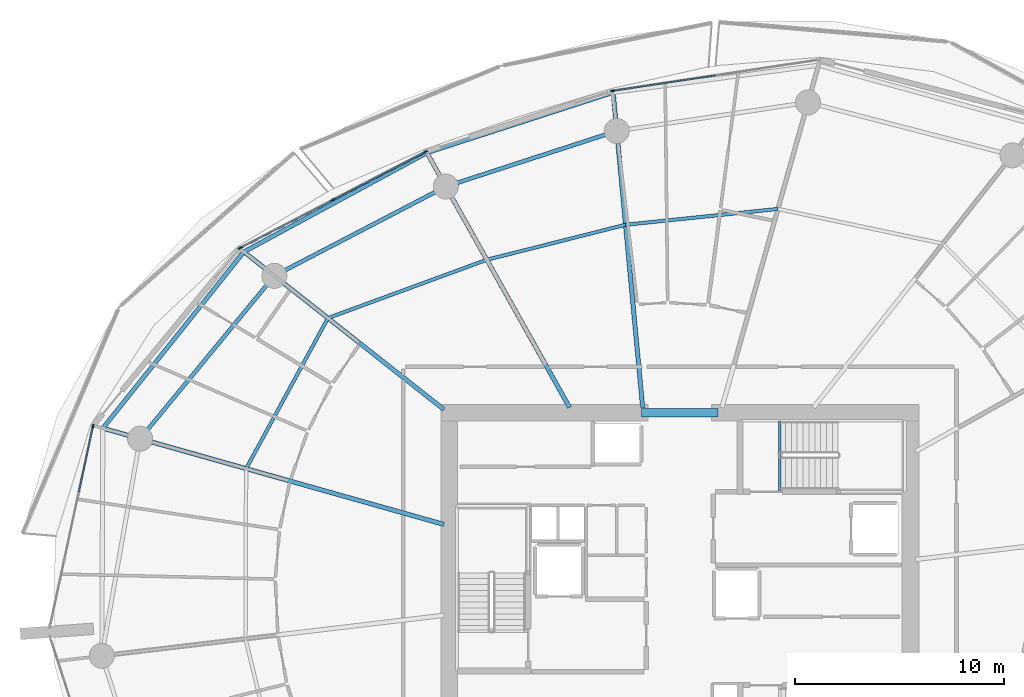
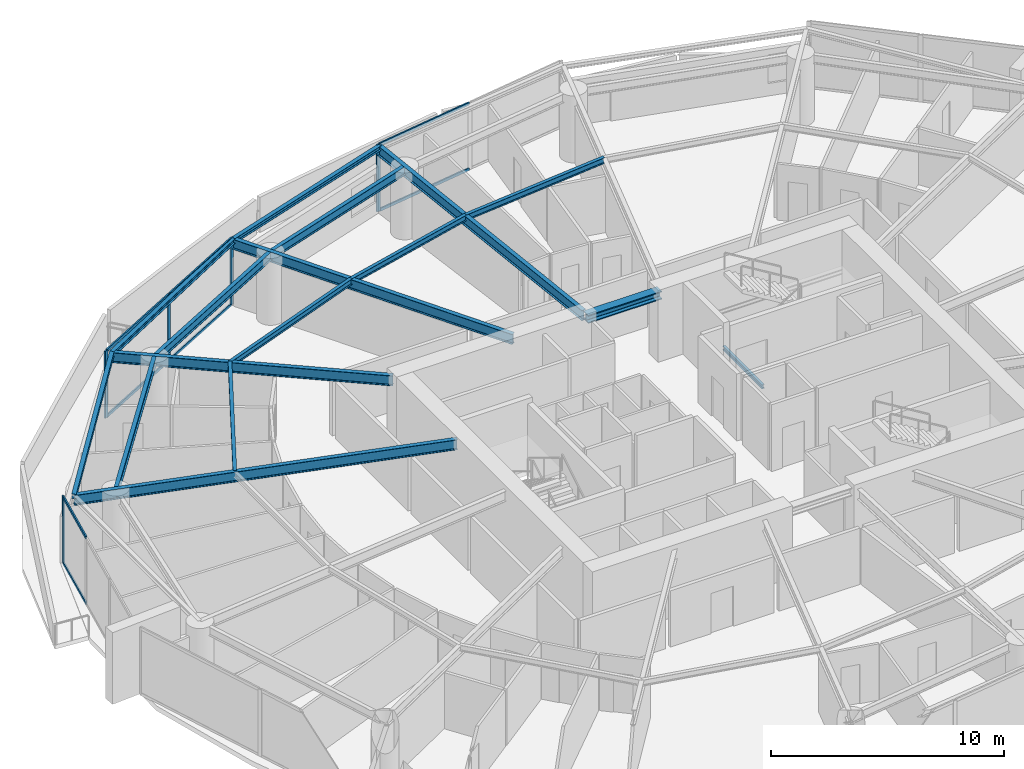
# One storey, part 8 of 23: 16 beams, 13 members, 3 elements without a shape of their own.
"""IFC4 building model written with IfcOpenShell, lengths in metres."""

import ifcopenshell
import ifcopenshell.guid

model = None  # the IFC model being written
_history = None  # IfcOwnerHistory: only IFC2X3 demands one
_inside = {}  # id of a spatial element -> (the spatial element, [elements in it])
_under = {}  # id of a project, library or spatial element -> (it, [spatial elements below it])
_declared = {}  # id of a project -> (the project, [libraries it declares])
_typed = {}  # id of a type object -> (the type object, [elements of that type])
_made_of = {}  # id of a material, layer set ... -> (it, [elements and type objects made of it])


def new_model(schema):
    """Start an empty IFC model of exactly this schema.

    Asked for "IFC4X3", IfcOpenShell would pick the latest addendum, in which some entities
    have other attributes; the version numbers below select the first issue.
    IFC2X3 requires an IfcOwnerHistory on every rooted entity: one is made here for all.
    """
    global model, _history
    if schema == "IFC4X3":
        model = ifcopenshell.file(schema_version=(4, 3, 0, 0))
    else:
        model = ifcopenshell.file(schema=schema)
    _inside.clear()
    _under.clear()
    _declared.clear()
    _typed.clear()
    _made_of.clear()
    _history = None
    if model.schema == "IFC2X3":
        org = make("IfcOrganization", Name="unknown")
        user = make(
            "IfcPersonAndOrganization",
            ThePerson=make("IfcPerson", FamilyName="unknown"),
            TheOrganization=org,
        )
        app = make(
            "IfcApplication",
            ApplicationDeveloper=org,
            Version="unknown",
            ApplicationFullName="unknown",
            ApplicationIdentifier="unknown",
        )
        _history = make(
            "IfcOwnerHistory",
            OwningUser=user,
            OwningApplication=app,
            ChangeAction="ADDED",
            CreationDate=0,
        )
    return model


def make(cls, **values):
    """One entity of the class cls with the attributes given. An attribute that is None is left unset."""
    return model.create_entity(
        cls, **{name: value for name, value in values.items() if value is not None}
    )


def rooted(cls, **values):
    """An entity with a GlobalId (a new one), such as an element, a storey or a relation."""
    return make(cls, GlobalId=ifcopenshell.guid.new(), OwnerHistory=_history, **values)


def si_unit(unit_type, name, prefix=None):
    """IfcSIUnit, for example si_unit("LENGTHUNIT", "METRE", prefix="MILLI")."""
    return make("IfcSIUnit", UnitType=unit_type, Prefix=prefix, Name=name)


def assignment(units):
    """IfcUnitAssignment: the units of a project."""
    return None if units is None else make("IfcUnitAssignment", Units=units)


def point(xyz):
    """IfcCartesianPoint."""
    return None if xyz is None else make("IfcCartesianPoint", Coordinates=xyz)


def direction(xyz):
    """IfcDirection."""
    return None if xyz is None else make("IfcDirection", DirectionRatios=xyz)


def frame(location, z_axis=None, x_axis=None):
    """IfcAxis2Placement3D, a coordinate frame: its origin and axes. An axis left out is left unset."""
    return make(
        "IfcAxis2Placement3D",
        Location=point(location),
        Axis=direction(z_axis),
        RefDirection=direction(x_axis),
    )


def frame_2d(location, x_axis=None):
    """IfcAxis2Placement2D, a coordinate frame in the plane: its origin and x axis."""
    return make(
        "IfcAxis2Placement2D", Location=point(location), RefDirection=direction(x_axis)
    )


def origin():
    """The frame at (0, 0, 0) with its axes left unset."""
    return frame((0.0, 0.0, 0.0))


def origin_2d():
    """The frame at (0, 0) in the plane with its x axis left unset."""
    return frame_2d((0.0, 0.0))


def place(relative_to, where):
    """IfcLocalPlacement: puts the frame where relative to a parent placement (None: the world)."""
    return make(
        "IfcLocalPlacement", PlacementRelTo=relative_to, RelativePlacement=where
    )


def context(
    kind, dimensions, precision=None, world=None, true_north=None, identifier=None
):
    """IfcGeometricRepresentationContext, for example the 3D "Model" context."""
    return make(
        "IfcGeometricRepresentationContext",
        ContextIdentifier=identifier,
        ContextType=kind,
        CoordinateSpaceDimension=dimensions,
        Precision=precision,
        WorldCoordinateSystem=world,
        TrueNorth=true_north,
    )


def subcontext(parent, identifier, kind, view, scale=None):
    """IfcGeometricRepresentationSubContext, for example "Body" below "Model"."""
    return make(
        "IfcGeometricRepresentationSubContext",
        ContextIdentifier=identifier,
        ContextType=kind,
        ParentContext=parent,
        TargetScale=scale,
        TargetView=view,
    )


def project(units=None, contexts=None):
    """IfcProject with its units and contexts."""
    return rooted(
        "IfcProject",
        Name="project",
        RepresentationContexts=contexts,
        UnitsInContext=assignment(units),
    )


def spatial(cls, under=None, at=None, **own):
    """A site, building, storey or space (cls), placed at a placement, below another one or the project."""
    s = rooted(cls, ObjectPlacement=at, **own)
    if under is not None:
        _under.setdefault(under.id(), (under, []))[1].append(s)
    return s


def profile(cls, at=None, kind="AREA", **sizes):
    """A parametric profile (cls). Its sizes go by their IFC names, for example OverallWidth=200.0."""
    return make(cls, ProfileType=kind, Position=at, **sizes)


def rectangle(**sizes):
    """IfcRectangleProfileDef."""
    return profile("IfcRectangleProfileDef", **sizes)


def i_section(**sizes):
    """IfcIShapeProfileDef."""
    return profile("IfcIShapeProfileDef", **sizes)


def extrude(swept, where, along, depth):
    """IfcExtrudedAreaSolid: the profile swept, set in the frame where, extruded along a direction by depth."""
    return make(
        "IfcExtrudedAreaSolid",
        SweptArea=swept,
        Position=where,
        ExtrudedDirection=direction(along),
        Depth=depth,
    )


def shape(context_of_items, identifier, shape_type, items):
    """IfcShapeRepresentation: the items that make up one representation, for example the "Body"."""
    return make(
        "IfcShapeRepresentation",
        ContextOfItems=context_of_items,
        RepresentationIdentifier=identifier,
        RepresentationType=shape_type,
        Items=items,
    )


def material(Name=None, Category=None):
    """IfcMaterial."""
    return make("IfcMaterial", Name=Name, Category=Category)


def layer(
    of_material, thickness, ventilated=None, Name=None, Category=None, Priority=None
):
    """IfcMaterialLayer: one layer of a wall or slab, of a material (None: an air gap)."""
    return make(
        "IfcMaterialLayer",
        Material=of_material,
        LayerThickness=thickness,
        IsVentilated=ventilated,
        Name=Name,
        Category=Category,
        Priority=Priority,
    )


def layer_set(layers, Name=None):
    """IfcMaterialLayerSet."""
    return make("IfcMaterialLayerSet", MaterialLayers=layers, LayerSetName=Name)


def material_profile(
    of_material, cross_section, Name=None, Category=None, Priority=None
):
    """IfcMaterialProfile: a cross section and its material."""
    return make(
        "IfcMaterialProfile",
        Name=Name,
        Material=of_material,
        Profile=cross_section,
        Priority=Priority,
        Category=Category,
    )


def profile_set(profiles, Name=None, composite=None):
    """IfcMaterialProfileSet."""
    return make(
        "IfcMaterialProfileSet",
        Name=Name,
        MaterialProfiles=profiles,
        CompositeProfile=composite,
    )


def made_of(thing, what):
    """Note that an element or type object is made of a material, layer set ...; save() writes the relation."""
    if what is not None:
        _made_of.setdefault(what.id(), (what, []))[1].append(thing)
    return thing


def type_object(cls, material=None, **own):
    """A type object (cls), such as IfcWallType, which elements share."""
    return made_of(rooted(cls, **own), material)


def element(
    cls,
    number,
    at=None,
    inside=None,
    cuts=None,
    type_object=None,
    material=None,
    context=None,
    identifier="Body",
    shape_type=None,
    held_by="IfcProductDefinitionShape",
    body=None,
    shapes=None,
    **own,
):
    """One element of the class cls, such as IfcWall. Its Tag is "e" and its number.

    at: its placement. inside: the storey or other place that contains it. cuts: it is an
    opening in that element (IfcRelVoidsElement). A single representation is given by context,
    identifier, shape_type and body (its items); several are given by shapes. held_by: the class
    of the entity that holds the representations. save() writes the other relations.
    """
    e = rooted(cls, Tag="e%d" % number, ObjectPlacement=at, **own)
    if body is not None:
        shapes = [shape(context, identifier, shape_type, body)]
    if shapes is not None:
        e.Representation = make(held_by, Representations=shapes)
    if inside is not None:
        _inside.setdefault(inside.id(), (inside, []))[1].append(e)
    if cuts is not None:
        rooted(
            "IfcRelVoidsElement", RelatingBuildingElement=cuts, RelatedOpeningElement=e
        )
    if type_object is not None:
        _typed.setdefault(type_object.id(), (type_object, []))[1].append(e)
    return made_of(e, material)


def aggregate(whole, parts):
    """IfcRelAggregates: a whole, such as a stair, and the parts it consists of."""
    return rooted("IfcRelAggregates", RelatingObject=whole, RelatedObjects=parts)


def save(model, path):
    """Write the relations noted so far, then the file.

    IfcRelAggregates (storeys below a building ...), IfcRelContainedInSpatialStructure (elements
    in a storey), IfcRelDefinesByType, IfcRelAssociatesMaterial and IfcRelDeclares: one each for
    every whole, place, type object, material and project.
    """
    for whole, parts in _under.values():
        aggregate(whole, parts)
    for where, things in _inside.values():
        rooted(
            "IfcRelContainedInSpatialStructure",
            RelatedElements=things,
            RelatingStructure=where,
        )
    for kind, things in _typed.values():
        rooted("IfcRelDefinesByType", RelatedObjects=things, RelatingType=kind)
    for what, things in _made_of.values():
        rooted("IfcRelAssociatesMaterial", RelatedObjects=things, RelatingMaterial=what)
    for by, libraries in _declared.values():
        rooted("IfcRelDeclares", RelatingContext=by, RelatedDefinitions=libraries)
    model.write(path)


model = new_model("IFC4")

# Units and contexts
model_context = context("Model", 3, precision=1e-05, world=origin(), true_north=direction((0.0, 1.0)))
body_context = subcontext(model_context, "Body", "Model", "MODEL_VIEW")
ifc_project = project(units=[si_unit("LENGTHUNIT", "METRE"), si_unit("AREAUNIT", "SQUARE_METRE"), si_unit("VOLUMEUNIT", "CUBIC_METRE"), si_unit("PLANEANGLEUNIT", "RADIAN"), si_unit("MASSUNIT", "GRAM", prefix="KILO")], contexts=[model_context])

# Site, building, storey
site_placement = place(None, origin())
site = spatial("IfcSite", under=ifc_project, at=site_placement, CompositionType="ELEMENT")
building_placement = place(site_placement, origin())
building = spatial("IfcBuilding", under=site, at=building_placement, Name="Kazma Halo Residences", CompositionType="ELEMENT")
storey_placement = place(building_placement, frame((0.0, 0.0, 86.39990234375)))
storey = spatial("IfcBuildingStorey", under=building, at=storey_placement, Name="L21", CompositionType="ELEMENT", Elevation=86.39990234375)

# Beams
ifc_material_1 = material(Name="Steel S355", Category="steel")
ifc_material_profile_1 = material_profile(ifc_material_1, i_section(OverallWidth=0.201904296875, OverallDepth=0.2470703125, WebThickness=0.00732421875, FlangeThickness=0.010986328125, FilletRadius=0.011962890625, at=origin_2d()), Name="W250x49.1")
ifc_profile_set_1 = profile_set([ifc_material_profile_1], Name="Steel S355")
beam_type_1 = type_object("IfcBeamType", Name="BM-BAL-CANT", PredefinedType="BEAM", material=ifc_profile_set_1)
beam_1_placement = place(storey_placement, frame((45.239013671875, 65.7109375, 3.376708984375), z_axis=(-0.951364037255, -0.308068934846, 0.0), x_axis=(0.308068934846, -0.951364037255, 0.0)))
element("IfcBeam", 1, at=beam_1_placement, inside=storey, type_object=beam_type_1, Name="L21 wave-balcony tie beam 04", PredefinedType="BEAM", context=body_context, shape_type="SweptSolid", body=[
    extrude(i_section(OverallWidth=0.201904296875, OverallDepth=0.2470703125, WebThickness=0.00732421875, FlangeThickness=0.010986328125, FilletRadius=0.011962890625, at=origin_2d()), origin(), (0.0, 0.0, 1.0), 9.3583984375),
])
beam_2_placement = place(storey_placement, frame((36.335693359375, 62.827880859375, 3.376708984375), z_axis=(-0.87930438671, -0.476260218276, 0.0), x_axis=(0.476260218276, -0.87930438671, 0.0)))
element("IfcBeam", 2, at=beam_2_placement, inside=storey, type_object=beam_type_1, Name="L21 wave-balcony tie beam 05", PredefinedType="BEAM", context=body_context, shape_type="SweptSolid", body=[
    extrude(i_section(OverallWidth=0.201904296875, OverallDepth=0.2470703125, WebThickness=0.00732421875, FlangeThickness=0.010986328125, FilletRadius=0.011962890625, at=origin_2d()), origin(), (0.0, 0.0, 1.0), 9.94677734375),
])
beam_3_placement = place(storey_placement, frame((27.58935546875, 58.090576171875, 3.376708984375), z_axis=(-0.62477775999, -0.78080263231, 0.0), x_axis=(0.78080263231, -0.62477775999, 0.0)))
element("IfcBeam", 3, at=beam_3_placement, inside=storey, type_object=beam_type_1, Name="L21 wave-balcony tie beam 06", PredefinedType="BEAM", context=body_context, shape_type="SweptSolid", body=[
    extrude(i_section(OverallWidth=0.201904296875, OverallDepth=0.2470703125, WebThickness=0.00732421875, FlangeThickness=0.010986328125, FilletRadius=0.011962890625, at=origin_2d()), origin(), (0.0, 0.0, 1.0), 10.79833984375),
])
ifc_material_profile_2 = material_profile(ifc_material_1, i_section(OverallWidth=0.408935546875, OverallDepth=0.425048828125, WebThickness=0.03271484375, FlangeThickness=0.052490234375, FilletRadius=0.02001953125, at=origin_2d()), Name="W360x421")
ifc_profile_set_2 = profile_set([ifc_material_profile_2], Name="Steel S355")
beam_type_2 = type_object("IfcBeamType", Name="BM-CORE-W360H", PredefinedType="BEAM", material=ifc_profile_set_2)
beam_4_placement = place(storey_placement, frame((46.60009765625, 50.39990234375, 3.28759765625), z_axis=(1.0, 0.0, 0.0), x_axis=(0.0, 1.0, 0.0)))
element("IfcBeam", 4, at=beam_4_placement, inside=storey, type_object=beam_type_2, Name="L21 core coupling beam N", PredefinedType="BEAM", context=body_context, shape_type="SweptSolid", body=[
    extrude(i_section(OverallWidth=0.408935546875, OverallDepth=0.425048828125, WebThickness=0.03271484375, FlangeThickness=0.052490234375, FilletRadius=0.02001953125, at=origin_2d()), origin(), (0.0, 0.0, 1.0), 3.64990234375),
])
ifc_material_profile_3 = material_profile(ifc_material_1, i_section(OverallWidth=0.208984375, OverallDepth=0.532958984375, WebThickness=0.01025390625, FlangeThickness=0.015625, FilletRadius=0.01611328125, at=origin_2d()), Name="W530x92")
ifc_profile_set_3 = profile_set([ifc_material_profile_3], Name="Steel S355")
beam_type_3 = type_object("IfcBeamType", Name="BM-RAD-W530", PredefinedType="BEAM", material=ifc_profile_set_3)
beam_5_placement = place(storey_placement, frame((46.64990234375, 50.64990234375, 3.233642578125), z_axis=(-0.093269713752, 0.995640879282, 0.0), x_axis=(-0.995640879282, -0.093269713752, 0.0)))
element("IfcBeam", 5, at=beam_5_placement, inside=storey, type_object=beam_type_3, Name="L21 radial floor beam 04", PredefinedType="BEAM", context=body_context, shape_type="SweptSolid", body=[
    extrude(i_section(OverallWidth=0.208984375, OverallDepth=0.532958984375, WebThickness=0.01025390625, FlangeThickness=0.015625, FilletRadius=0.01611328125, at=origin_2d()), origin(), (0.0, 0.0, 1.0), 15.126953125),
])
beam_6_placement = place(storey_placement, frame((43.15576171875, 50.64990234375, 3.233642578125), z_axis=(-0.488625206529, 0.872493786536, 0.0), x_axis=(-0.872493786536, -0.488625206529, 0.0)))
element("IfcBeam", 6, at=beam_6_placement, inside=storey, type_object=beam_type_3, Name="L21 radial floor beam 05", PredefinedType="BEAM", context=body_context, shape_type="SweptSolid", body=[
    extrude(i_section(OverallWidth=0.208984375, OverallDepth=0.532958984375, WebThickness=0.01025390625, FlangeThickness=0.015625, FilletRadius=0.01611328125, at=origin_2d()), origin(), (0.0, 0.0, 1.0), 13.957763671875),
])
beam_7_placement = place(storey_placement, frame((37.14990234375, 50.553466796875, 3.233642578125), z_axis=(-0.785309664997, 0.619103165929, 0.0), x_axis=(-0.619103165929, -0.785309664997, 0.0)))
element("IfcBeam", 7, at=beam_7_placement, inside=storey, type_object=beam_type_3, Name="L21 radial floor beam 06", PredefinedType="BEAM", context=body_context, shape_type="SweptSolid", body=[
    extrude(i_section(OverallWidth=0.208984375, OverallDepth=0.532958984375, WebThickness=0.01025390625, FlangeThickness=0.015625, FilletRadius=0.01611328125, at=origin_2d()), origin(), (0.0, 0.0, 1.0), 12.17431640625),
])
beam_8_placement = place(storey_placement, frame((37.14990234375, 45.06005859375, 3.233642578125), z_axis=(-0.962454695383, 0.271442368351, 0.0), x_axis=(-0.271442368351, -0.962454695383, 0.0)))
element("IfcBeam", 8, at=beam_8_placement, inside=storey, type_object=beam_type_3, Name="L21 radial floor beam 07", PredefinedType="BEAM", context=body_context, shape_type="SweptSolid", body=[
    extrude(i_section(OverallWidth=0.208984375, OverallDepth=0.532958984375, WebThickness=0.01025390625, FlangeThickness=0.015625, FilletRadius=0.01611328125, at=origin_2d()), origin(), (0.0, 0.0, 1.0), 16.943359375),
])
ifc_material_profile_4 = material_profile(ifc_material_1, i_section(OverallWidth=0.1650390625, OverallDepth=0.31005859375, WebThickness=0.005859375, FlangeThickness=0.009765625, FilletRadius=0.011962890625, at=origin_2d()), Name="W310x38.7")
ifc_profile_set_4 = profile_set([ifc_material_profile_4], Name="Steel S355")
beam_type_4 = type_object("IfcBeamType", Name="BM-SEC-W310B", PredefinedType="JOIST", material=ifc_profile_set_4)
beam_9_placement = place(storey_placement, frame((53.116455078125, 60.1416015625, 3.34521484375), z_axis=(-0.994656912508, -0.103235780624, 0.0), x_axis=(0.103235780624, -0.994656912508, 0.0)))
element("IfcBeam", 9, at=beam_9_placement, inside=storey, type_object=beam_type_4, Name="L21 circumferential floor joist 03", PredefinedType="JOIST", context=body_context, shape_type="SweptSolid", body=[
    extrude(i_section(OverallWidth=0.1650390625, OverallDepth=0.31005859375, WebThickness=0.005859375, FlangeThickness=0.009765625, FilletRadius=0.011962890625, at=origin_2d()), origin(), (0.0, 0.0, 1.0), 7.323974609375),
])
beam_10_placement = place(storey_placement, frame((45.83154296875, 59.385498046875, 3.34521484375), z_axis=(-0.969640662449, -0.244534221993, 0.0), x_axis=(0.244534221993, -0.969640662449, 0.0)))
element("IfcBeam", 10, at=beam_10_placement, inside=storey, type_object=beam_type_4, Name="L21 circumferential floor joist 04", PredefinedType="JOIST", context=body_context, shape_type="SweptSolid", body=[
    extrude(i_section(OverallWidth=0.1650390625, OverallDepth=0.31005859375, WebThickness=0.005859375, FlangeThickness=0.009765625, FilletRadius=0.011962890625, at=origin_2d()), origin(), (0.0, 0.0, 1.0), 6.8388671875),
])
beam_11_placement = place(storey_placement, frame((39.2001953125, 57.713134765625, 3.34521484375), z_axis=(-0.93875304644, -0.344590652513, 0.0), x_axis=(0.344590652513, -0.93875304644, 0.0)))
element("IfcBeam", 11, at=beam_11_placement, inside=storey, type_object=beam_type_4, Name="L21 circumferential floor joist 05", PredefinedType="JOIST", context=body_context, shape_type="SweptSolid", body=[
    extrude(i_section(OverallWidth=0.1650390625, OverallDepth=0.31005859375, WebThickness=0.005859375, FlangeThickness=0.009765625, FilletRadius=0.011962890625, at=origin_2d()), origin(), (0.0, 0.0, 1.0), 8.091064453125),
])
beam_12_placement = place(storey_placement, frame((31.604736328125, 54.925048828125, 3.34521484375), z_axis=(-0.477621844446, -0.878565520441, 0.0), x_axis=(0.878565520441, -0.477621844446, 0.0)))
element("IfcBeam", 12, at=beam_12_placement, inside=storey, type_object=beam_type_4, Name="L21 circumferential floor joist 06", PredefinedType="JOIST", context=body_context, shape_type="SweptSolid", body=[
    extrude(i_section(OverallWidth=0.1650390625, OverallDepth=0.31005859375, WebThickness=0.005859375, FlangeThickness=0.009765625, FilletRadius=0.011962890625, at=origin_2d()), origin(), (0.0, 0.0, 1.0), 8.1923828125),
])
ifc_material_profile_5 = material_profile(ifc_material_1, i_section(OverallWidth=0.18994140625, OverallDepth=0.45703125, WebThickness=0.009033203125, FlangeThickness=0.014404296875, FilletRadius=0.01611328125, at=origin_2d()), Name="W460x74")
ifc_profile_set_5 = profile_set([ifc_material_profile_5], Name="Steel S355")
beam_type_5 = type_object("IfcBeamType", Name="BM-SPN-W460", PredefinedType="BEAM", material=ifc_profile_set_5)
beam_13_placement = place(storey_placement, frame((45.41162109375, 63.869140625, 3.271484375), z_axis=(-0.951054111927, -0.30902439416, 0.0), x_axis=(0.30902439416, -0.951054111927, 0.0)))
element("IfcBeam", 13, at=beam_13_placement, inside=storey, type_object=beam_type_5, Name="L21 perimeter ring beam 04", PredefinedType="BEAM", context=body_context, shape_type="SweptSolid", body=[
    extrude(i_section(OverallWidth=0.18994140625, OverallDepth=0.45703125, WebThickness=0.009033203125, FlangeThickness=0.014404296875, FilletRadius=0.01611328125, at=origin_2d()), origin(), (0.0, 0.0, 1.0), 8.592529296875),
])
beam_14_placement = place(storey_placement, frame((37.23974609375, 61.2138671875, 3.271484375), z_axis=(-0.886963229644, -0.461840047266, 0.0), x_axis=(0.461840047266, -0.886963229644, 0.0)))
element("IfcBeam", 14, at=beam_14_placement, inside=storey, type_object=beam_type_5, Name="L21 perimeter ring beam 05", PredefinedType="BEAM", context=body_context, shape_type="SweptSolid", body=[
    extrude(i_section(OverallWidth=0.18994140625, OverallDepth=0.45703125, WebThickness=0.009033203125, FlangeThickness=0.014404296875, FilletRadius=0.01611328125, at=origin_2d()), origin(), (0.0, 0.0, 1.0), 9.242431640625),
])
beam_15_placement = place(storey_placement, frame((29.0419921875, 56.9453125, 3.271484375), z_axis=(-0.635989564566, -0.771697656963, 0.0), x_axis=(0.771697656963, -0.635989564566, 0.0)))
element("IfcBeam", 15, at=beam_15_placement, inside=storey, type_object=beam_type_5, Name="L21 perimeter ring beam 06", PredefinedType="BEAM", context=body_context, shape_type="SweptSolid", body=[
    extrude(i_section(OverallWidth=0.18994140625, OverallDepth=0.45703125, WebThickness=0.009033203125, FlangeThickness=0.014404296875, FilletRadius=0.01611328125, at=origin_2d()), origin(), (0.0, 0.0, 1.0), 10.092529296875),
])
ifc_material_profile_6 = material_profile(ifc_material_1, i_section(OverallWidth=0.133056640625, OverallDepth=0.20703125, WebThickness=0.005859375, FlangeThickness=0.00830078125, FilletRadius=0.010009765625, at=origin_2d()), Name="W200x26.6")
ifc_profile_set_6 = profile_set([ifc_material_profile_6], Name="Steel S355")
beam_type_6 = type_object("IfcBeamType", Name="BM-TRIM-W200", PredefinedType="BEAM", material=ifc_profile_set_6)
beam_16_placement = place(storey_placement, frame((53.199951171875, 46.6201171875, -0.35986328125), z_axis=(0.0, 1.0, 0.0), x_axis=(-1.0, 0.0, 0.0)))
element("IfcBeam", 16, at=beam_16_placement, inside=storey, type_object=beam_type_6, Name="L21 ST-02 floor landing support beam", PredefinedType="BEAM", context=body_context, shape_type="SweptSolid", body=[
    extrude(i_section(OverallWidth=0.133056640625, OverallDepth=0.20703125, WebThickness=0.005859375, FlangeThickness=0.00830078125, FilletRadius=0.010009765625, at=origin_2d()), origin(), (0.0, 0.0, 1.0), 3.3798828125),
])

# Curtain wall, member
ifc_material_2 = material(Name="Aluminium AW-6063 T6 and Triple-Silver Low-E Glass", Category="aluminium")
ifc_layer = layer(ifc_material_2, 0.199951171875)
ifc_layer_set = layer_set([ifc_layer], Name="Aluminium AW-6063 T6 and Triple-Silver Low-E Glass")
curtain_wall_type = type_object("IfcCurtainWallType", Name="CW-SYS-3", PredefinedType="NOTDEFINED", material=ifc_layer_set)
curtain_wall_1_placement = place(storey_placement, origin())
curtain_wall_1 = element("IfcCurtainWall", 17, at=curtain_wall_1_placement, inside=storey, type_object=curtain_wall_type, Name="L21 unitised curtain wall B03", PredefinedType="NOTDEFINED")
ifc_material_3 = material(Name="Aluminium AW-6063 T6", Category="aluminium")
ifc_material_profile_7 = material_profile(ifc_material_3, rectangle(XDim=0.070068359375, YDim=0.199951171875, at=origin_2d()), Name="CWM-70x200")
ifc_profile_set_7 = profile_set([ifc_material_profile_7], Name="Aluminium AW-6063 T6")
member_type_1 = type_object("IfcMemberType", Name="CW-SYS-3-MUL", PredefinedType="MULLION", material=ifc_profile_set_7)
member_1_placement = place(storey_placement, frame((45.219970703125, 65.78662109375, 0.0), z_axis=(0.0, 0.0, 1.0), x_axis=(0.148717330409, -0.988879747814, 0.0)))
member_1 = element("IfcMember", 18, at=member_1_placement, type_object=member_type_1, Name="CWS-3 mullion 3", PredefinedType="MULLION", context=body_context, shape_type="SweptSolid", body=[
    extrude(rectangle(XDim=0.070068359375, YDim=0.199951171875, at=origin_2d()), origin(), (0.0, 0.0, 1.0), 3.5),
])

# Curtain wall, members
curtain_wall_2_placement = place(storey_placement, origin())
curtain_wall_2 = element("IfcCurtainWall", 19, at=curtain_wall_2_placement, inside=storey, type_object=curtain_wall_type, Name="L21 unitised curtain wall B05", PredefinedType="NOTDEFINED")
member_2_placement = place(storey_placement, frame((36.267822265625, 62.8779296875, 0.0), z_axis=(0.0, 0.0, 1.0), x_axis=(0.460932159481, -0.887435374749, 0.0)))
member_2 = element("IfcMember", 20, at=member_2_placement, type_object=member_type_1, Name="CWS-3 mullion 1", PredefinedType="MULLION", context=body_context, shape_type="SweptSolid", body=[
    extrude(rectangle(XDim=0.070068359375, YDim=0.199951171875, at=origin_2d()), origin(), (0.0, 0.0, 1.0), 3.5),
])
member_3_placement = place(storey_placement, frame((31.8369140625, 60.57666015625, 0.0), z_axis=(0.0, 0.0, 1.0), x_axis=(0.460932159481, -0.887435374749, 0.0)))
member_3 = element("IfcMember", 21, at=member_3_placement, type_object=member_type_1, Name="CWS-3 mullion 2", PredefinedType="MULLION", context=body_context, shape_type="SweptSolid", body=[
    extrude(rectangle(XDim=0.070068359375, YDim=0.199951171875, at=origin_2d()), origin(), (0.0, 0.0, 1.0), 3.5),
])
member_4_placement = place(storey_placement, frame((27.40625, 58.275390625, 0.0), z_axis=(0.0, 0.0, 1.0), x_axis=(0.460932159481, -0.887435374749, 0.0)))
member_4 = element("IfcMember", 22, at=member_4_placement, type_object=member_type_1, Name="CWS-3 mullion 3", PredefinedType="MULLION", context=body_context, shape_type="SweptSolid", body=[
    extrude(rectangle(XDim=0.070068359375, YDim=0.199951171875, at=origin_2d()), origin(), (0.0, 0.0, 1.0), 3.5),
])

# Curtain wall, member
curtain_wall_3_placement = place(storey_placement, origin())
curtain_wall_3 = element("IfcCurtainWall", 23, at=curtain_wall_3_placement, inside=storey, type_object=curtain_wall_type, Name="L21 unitised curtain wall B07", PredefinedType="NOTDEFINED")
member_5_placement = place(storey_placement, frame((20.3740234375, 49.755126953125, 0.0), z_axis=(0.0, 0.0, 1.0), x_axis=(0.977774176093, -0.209660822677, 0.0)))
member_5 = element("IfcMember", 24, at=member_5_placement, type_object=member_type_1, Name="CWS-3 mullion 1", PredefinedType="MULLION", context=body_context, shape_type="SweptSolid", body=[
    extrude(rectangle(XDim=0.070068359375, YDim=0.199951171875, at=origin_2d()), origin(), (0.0, 0.0, 1.0), 3.5),
])

# Member
ifc_material_profile_8 = material_profile(ifc_material_3, rectangle(XDim=0.070068359375, YDim=0.14990234375, at=origin_2d()), Name="CWT-70x150")
ifc_profile_set_8 = profile_set([ifc_material_profile_8], Name="Aluminium AW-6063 T6")
member_type_2 = type_object("IfcMemberType", Name="CW-SYS-3-TRN", PredefinedType="USERDEFINED", material=ifc_profile_set_8)
member_6_placement = place(storey_placement, frame((50.12255859375, 66.52392578125, 0.03515625), z_axis=(-0.988884271372, -0.148687248386, 0.0), x_axis=(0.148687248386, -0.988884271372, 0.0)))
member_6 = element("IfcMember", 25, at=member_6_placement, type_object=member_type_2, Name="CWS-3 transom 2.1", ObjectType="TRANSOM", PredefinedType="USERDEFINED", context=body_context, shape_type="SweptSolid", body=[
    extrude(rectangle(XDim=0.070068359375, YDim=0.14990234375, at=origin_2d()), origin(), (0.0, 0.0, 1.0), 4.922607421875),
])

member_7_placement = place(storey_placement, frame((50.12255859375, 66.52392578125, 3.465087890625), z_axis=(-0.988884271372, -0.148687248386, 0.0), x_axis=(0.148687248386, -0.988884271372, 0.0)))
member_7 = element("IfcMember", 26, at=member_7_placement, type_object=member_type_2, Name="CWS-3 transom 2.2", ObjectType="TRANSOM", PredefinedType="USERDEFINED", context=body_context, shape_type="SweptSolid", body=[
    extrude(rectangle(XDim=0.070068359375, YDim=0.14990234375, at=origin_2d()), origin(), (0.0, 0.0, 1.0), 4.922607421875),
])

aggregate(curtain_wall_1, [member_1, member_6, member_7])

member_8_placement = place(storey_placement, frame((36.236572265625, 62.86181640625, 0.03515625), z_axis=(-0.887427024944, -0.460948235054, 0.0), x_axis=(0.460948235054, -0.887427024944, 0.0)))
member_8 = element("IfcMember", 27, at=member_8_placement, type_object=member_type_2, Name="CWS-3 transom 1.1", ObjectType="TRANSOM", PredefinedType="USERDEFINED", context=body_context, shape_type="SweptSolid", body=[
    extrude(rectangle(XDim=0.070068359375, YDim=0.14990234375, at=origin_2d()), origin(), (0.0, 0.0, 1.0), 4.922607421875),
])

member_9_placement = place(storey_placement, frame((36.236572265625, 62.86181640625, 3.465087890625), z_axis=(-0.887427024944, -0.460948235054, 0.0), x_axis=(0.460948235054, -0.887427024944, 0.0)))
member_9 = element("IfcMember", 28, at=member_9_placement, type_object=member_type_2, Name="CWS-3 transom 1.2", ObjectType="TRANSOM", PredefinedType="USERDEFINED", context=body_context, shape_type="SweptSolid", body=[
    extrude(rectangle(XDim=0.070068359375, YDim=0.14990234375, at=origin_2d()), origin(), (0.0, 0.0, 1.0), 4.922607421875),
])

member_10_placement = place(storey_placement, frame((31.805908203125, 60.560546875, 0.03515625), z_axis=(-0.887437562141, -0.460927948058, 0.0), x_axis=(0.460927948058, -0.887437562141, 0.0)))
member_10 = element("IfcMember", 29, at=member_10_placement, type_object=member_type_2, Name="CWS-3 transom 2.1", ObjectType="TRANSOM", PredefinedType="USERDEFINED", context=body_context, shape_type="SweptSolid", body=[
    extrude(rectangle(XDim=0.070068359375, YDim=0.14990234375, at=origin_2d()), origin(), (0.0, 0.0, 1.0), 4.9228515625),
])

member_11_placement = place(storey_placement, frame((31.805908203125, 60.560546875, 3.465087890625), z_axis=(-0.887437562141, -0.460927948058, 0.0), x_axis=(0.460927948058, -0.887437562141, 0.0)))
member_11 = element("IfcMember", 30, at=member_11_placement, type_object=member_type_2, Name="CWS-3 transom 2.2", ObjectType="TRANSOM", PredefinedType="USERDEFINED", context=body_context, shape_type="SweptSolid", body=[
    extrude(rectangle(XDim=0.070068359375, YDim=0.14990234375, at=origin_2d()), origin(), (0.0, 0.0, 1.0), 4.9228515625),
])

aggregate(curtain_wall_2, [member_2, member_3, member_4, member_8, member_9, member_10, member_11])

member_12_placement = place(storey_placement, frame((20.36669921875, 49.720947265625, 0.03515625), z_axis=(-0.209702197956, -0.977765303216, 0.0), x_axis=(0.977765303216, -0.209702197956, 0.0)))
member_12 = element("IfcMember", 31, at=member_12_placement, type_object=member_type_2, Name="CWS-3 transom 1.1", ObjectType="TRANSOM", PredefinedType="USERDEFINED", context=body_context, shape_type="SweptSolid", body=[
    extrude(rectangle(XDim=0.070068359375, YDim=0.14990234375, at=origin_2d()), origin(), (0.0, 0.0, 1.0), 3.17822265625),
])

member_13_placement = place(storey_placement, frame((20.36669921875, 49.720947265625, 3.465087890625), z_axis=(-0.209702197956, -0.977765303216, 0.0), x_axis=(0.977765303216, -0.209702197956, 0.0)))
member_13 = element("IfcMember", 32, at=member_13_placement, type_object=member_type_2, Name="CWS-3 transom 1.2", ObjectType="TRANSOM", PredefinedType="USERDEFINED", context=body_context, shape_type="SweptSolid", body=[
    extrude(rectangle(XDim=0.070068359375, YDim=0.14990234375, at=origin_2d()), origin(), (0.0, 0.0, 1.0), 3.17822265625),
])

aggregate(curtain_wall_3, [member_5, member_12, member_13])

save(model, "model.ifc")
